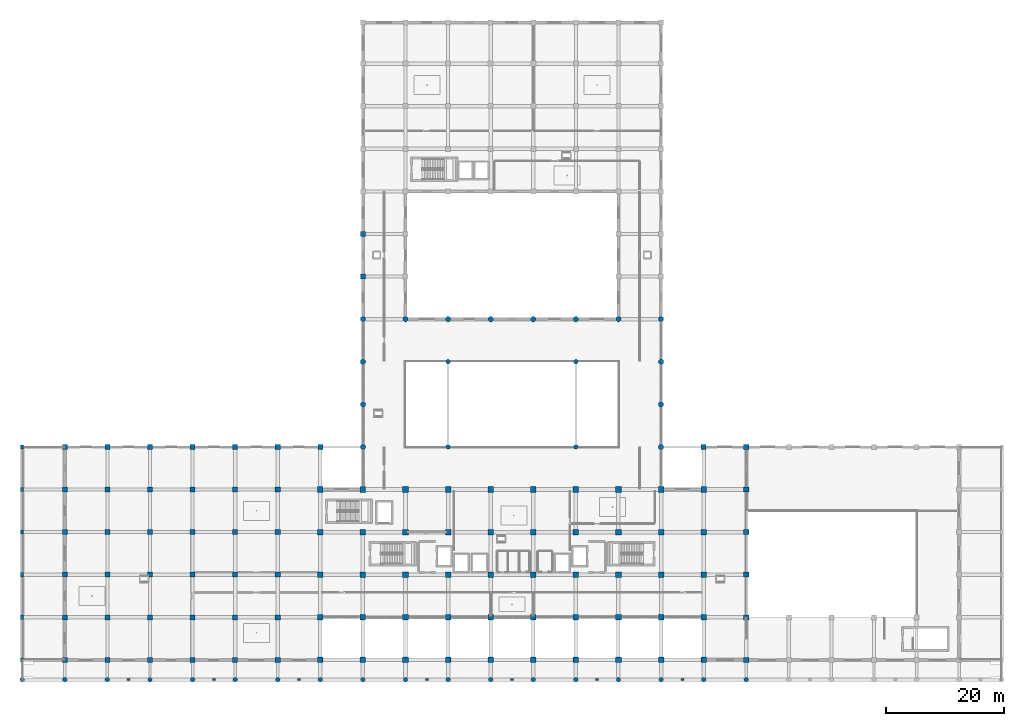
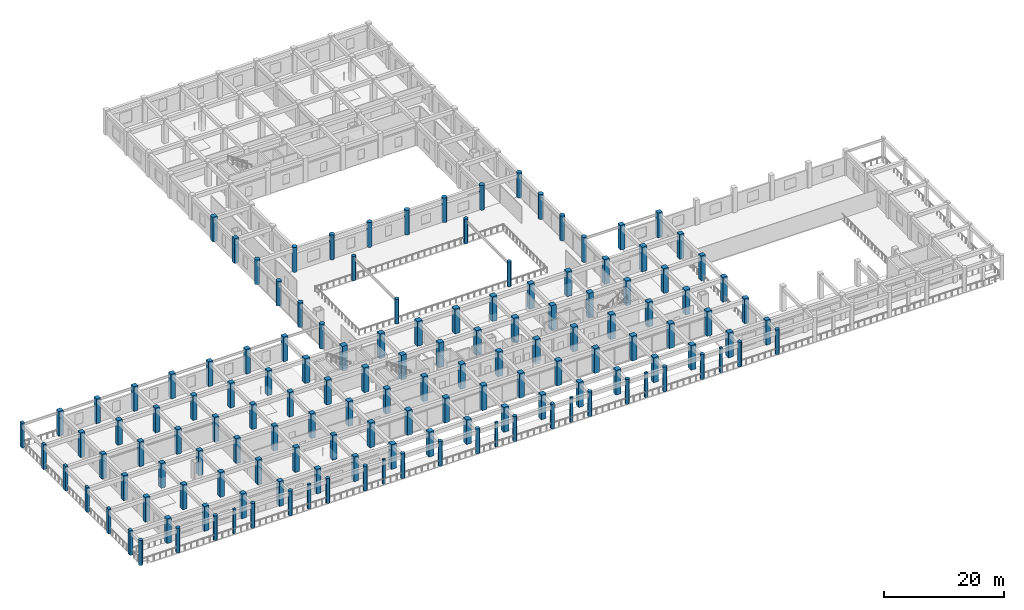
# One storey, part 1 of 54: 145 columns.
"""IFC4 building model written with IfcOpenShell, lengths in metres."""

from ifc_helpers import new_model, si_unit, direction, frame, origin, origin_2d, place, context, subcontext, project, spatial, rectangle, circle, extrude, material, material_profile, profile_set, type_object, element, save


model = new_model("IFC4")

# Units and contexts
model_context = context("Model", 3, precision=1e-05, world=origin(), true_north=direction((0.0, 1.0)))
body_context = subcontext(model_context, "Body", "Model", "MODEL_VIEW")
ifc_project = project(units=[si_unit("LENGTHUNIT", "METRE"), si_unit("AREAUNIT", "SQUARE_METRE"), si_unit("VOLUMEUNIT", "CUBIC_METRE"), si_unit("PLANEANGLEUNIT", "RADIAN"), si_unit("MASSUNIT", "GRAM", prefix="KILO")], contexts=[model_context])

# Site, building, storey
site_placement = place(None, origin())
site = spatial("IfcSite", under=ifc_project, at=site_placement, CompositionType="ELEMENT")
building_placement = place(site_placement, origin())
building = spatial("IfcBuilding", under=site, at=building_placement, Name="Kazehaya Institute of Natural Sciences", CompositionType="ELEMENT")
storey_placement = place(building_placement, frame((0.0, 0.0, 5.39990234375)))
storey = spatial("IfcBuildingStorey", under=building, at=storey_placement, Name="L01", CompositionType="ELEMENT", Elevation=5.39990234375)

# Columns
ifc_material_1 = material(Name="Concrete Fc36", Category="concrete")
ifc_material_profile_1 = material_profile(ifc_material_1, circle(Radius=0.375, at=origin_2d()), Name="RC-DIA750")
ifc_profile_set_1 = profile_set([ifc_material_profile_1], Name="Concrete Fc36")
column_type_1 = type_object("IfcColumnType", Name="COL-DIA750", PredefinedType="COLUMN", material=ifc_profile_set_1)
for number, where, z_axis, x_axis, name in (
    (1, (4.199951171875, 3.449951171875, 0.0), (0.0, 0.0, 1.0), (1.0, 0.0, 0.0), "L01 column COL-L01-0451"),
    (2, (11.39990234375, 3.449951171875, 0.0), (0.0, 0.0, 1.0), (1.0, 0.0, 0.0), "L01 column COL-L01-0452"),
    (3, (18.60009765625, 3.449951171875, 0.0), (0.0, 0.0, 1.0), (1.0, 0.0, 0.0), "L01 column COL-L01-0453"),
    (4, (25.800048828125, 3.449951171875, 0.0), (0.0, 0.0, 1.0), (1.0, 0.0, 0.0), "L01 column COL-L01-0454"),
    (5, (33.0, 3.449951171875, 0.0), (0.0, 0.0, 1.0), (1.0, 0.0, 0.0), "L01 column COL-L01-0455"),
    (6, (40.199951171875, 3.449951171875, 0.0), (0.0, 0.0, 1.0), (1.0, 0.0, 0.0), "L01 column COL-L01-0456"),
    (7, (47.39990234375, 3.449951171875, 0.0), (0.0, 0.0, 1.0), (1.0, 0.0, 0.0), "L01 column COL-L01-0457"),
    (8, (54.60009765625, 3.449951171875, 0.0), (0.0, 0.0, 1.0), (1.0, 0.0, 0.0), "L01 column COL-L01-0458"),
    (9, (61.800048828125, 3.449951171875, 0.0), (0.0, 0.0, 1.0), (1.0, 0.0, 0.0), "L01 column COL-L01-0459"),
    (10, (69.0, 3.449951171875, 0.0), (0.0, 0.0, 1.0), (1.0, 0.0, 0.0), "L01 column COL-L01-0460"),
    (11, (76.199951171875, 3.449951171875, 0.0), (0.0, 0.0, 1.0), (1.0, 0.0, 0.0), "L01 column COL-L01-0461"),
    (12, (83.39990234375, 3.449951171875, 0.0), (0.0, 0.0, 1.0), (1.0, 0.0, 0.0), "L01 column COL-L01-0462"),
    (13, (90.60009765625, 3.449951171875, 0.0), (0.0, 0.0, 1.0), (1.0, 0.0, 0.0), "L01 column COL-L01-0463"),
    (14, (97.800048828125, 3.449951171875, 0.0), (0.0, 0.0, 1.0), (1.0, 0.0, 0.0), "L01 column COL-L01-0464"),
    (15, (105.0, 3.449951171875, 0.0), (0.0, 0.0, 1.0), (1.0, 0.0, 0.0), "L01 column COL-L01-0465"),
    (16, (112.199951171875, 3.449951171875, 0.0), (0.0, 0.0, 1.0), (1.0, 0.0, 0.0), "L01 column COL-L01-0466"),
    (17, (119.39990234375, 3.449951171875, 0.0), (0.0, 0.0, 1.0), (1.0, 0.0, 0.0), "L01 column COL-L01-0467"),
    (18, (126.60009765625, 3.449951171875, 0.0), (0.0, 0.0, 1.0), (1.0, 0.0, 0.0), "L01 column COL-L01-0468"),
    (19, (76.199951171875, 42.800048828125, 0.0), (0.0, 0.0, 1.0), (1.0, 0.0, 0.0), "L01 atrium gallery column 1369"),
    (20, (76.199951171875, 57.199951171875, 0.0), (0.0, 0.0, 1.0), (1.0, 0.0, 0.0), "L01 atrium gallery column 1370"),
    (21, (97.800048828125, 42.800048828125, 0.0), (0.0, 0.0, 1.0), (1.0, 0.0, 0.0), "L01 atrium gallery column 1371"),
    (22, (97.800048828125, 57.199951171875, 0.0), (0.0, 0.0, 1.0), (1.0, 0.0, 0.0), "L01 atrium gallery column 1372"),
):
    element("IfcColumn", number, at=place(storey_placement, frame(where, z_axis=z_axis, x_axis=x_axis)), inside=storey, type_object=column_type_1, Name=name, PredefinedType="COLUMN", context=body_context, shape_type="SweptSolid", body=[
        extrude(circle(Radius=0.375, at=origin_2d()), origin(), (0.0, 0.0, 1.0), 5.0400390625),
    ])
ifc_material_2 = material(Name="Concrete Fc42", Category="concrete")
ifc_material_profile_2 = material_profile(ifc_material_2, circle(Radius=0.449951171875, at=origin_2d()), Name="RC-DIA900")
ifc_profile_set_2 = profile_set([ifc_material_profile_2], Name="Concrete Fc42")
column_type_2 = type_object("IfcColumnType", Name="COL-DIA900", PredefinedType="COLUMN", material=ifc_profile_set_2)
for number, where, z_axis, x_axis, name in (
    (23, (61.800048828125, 42.800048828125, 0.0), (0.0, 0.0, 1.0), (1.0, 0.0, 0.0), "L01 column COL-L01-0591"),
    (24, (112.199951171875, 42.800048828125, 0.0), (0.0, 0.0, 1.0), (1.0, 0.0, 0.0), "L01 column COL-L01-0592"),
    (25, (61.800048828125, 50.0, 0.0), (0.0, 0.0, 1.0), (1.0, 0.0, 0.0), "L01 column COL-L01-0601"),
    (26, (112.199951171875, 50.0, 0.0), (0.0, 0.0, 1.0), (1.0, 0.0, 0.0), "L01 column COL-L01-0602"),
    (27, (61.800048828125, 57.199951171875, 0.0), (0.0, 0.0, 1.0), (1.0, 0.0, 0.0), "L01 column COL-L01-0603"),
    (28, (112.199951171875, 57.199951171875, 0.0), (0.0, 0.0, 1.0), (1.0, 0.0, 0.0), "L01 column COL-L01-0604"),
    (29, (61.800048828125, 64.39990234375, 0.0), (0.0, 0.0, 1.0), (1.0, 0.0, 0.0), "L01 column COL-L01-0605"),
    (30, (69.0, 64.39990234375, 0.0), (0.0, 0.0, 1.0), (1.0, 0.0, 0.0), "L01 column COL-L01-0606"),
    (31, (76.199951171875, 64.39990234375, 0.0), (0.0, 0.0, 1.0), (1.0, 0.0, 0.0), "L01 column COL-L01-0607"),
    (32, (83.39990234375, 64.39990234375, 0.0), (0.0, 0.0, 1.0), (1.0, 0.0, 0.0), "L01 column COL-L01-0608"),
    (33, (90.60009765625, 64.39990234375, 0.0), (0.0, 0.0, 1.0), (1.0, 0.0, 0.0), "L01 column COL-L01-0609"),
    (34, (97.800048828125, 64.39990234375, 0.0), (0.0, 0.0, 1.0), (1.0, 0.0, 0.0), "L01 column COL-L01-0610"),
    (35, (105.0, 64.39990234375, 0.0), (0.0, 0.0, 1.0), (1.0, 0.0, 0.0), "L01 column COL-L01-0611"),
    (36, (112.199951171875, 64.39990234375, 0.0), (0.0, 0.0, 1.0), (1.0, 0.0, 0.0), "L01 column COL-L01-0612"),
):
    element("IfcColumn", number, at=place(storey_placement, frame(where, z_axis=z_axis, x_axis=x_axis)), inside=storey, type_object=column_type_2, Name=name, PredefinedType="COLUMN", context=body_context, shape_type="SweptSolid", body=[
        extrude(circle(Radius=0.449951171875, at=origin_2d()), origin(), (0.0, 0.0, 1.0), 5.0400390625),
    ])
ifc_material_profile_3 = material_profile(ifc_material_1, rectangle(XDim=0.5, YDim=0.699951171875, at=origin_2d()), Name="RC-700x500")
ifc_profile_set_3 = profile_set([ifc_material_profile_3], Name="Concrete Fc36")
column_type_3 = type_object("IfcColumnType", Name="COL-RC700x500", PredefinedType="COLUMN", material=ifc_profile_set_3)
for number, where, z_axis, x_axis, name in (
    (37, (4.199951171875, 6.800048828125, 0.0), (0.0, 0.0, 1.0), (1.0, 0.0, 0.0), "L01 column COL-L01-0475"),
    (38, (4.199951171875, 14.0, 0.0), (0.0, 0.0, 1.0), (1.0, 0.0, 0.0), "L01 column COL-L01-0499"),
    (39, (4.199951171875, 21.199951171875, 0.0), (0.0, 0.0, 1.0), (1.0, 0.0, 0.0), "L01 column COL-L01-0523"),
    (40, (4.199951171875, 28.39990234375, 0.0), (0.0, 0.0, 1.0), (1.0, 0.0, 0.0), "L01 column COL-L01-0543"),
    (41, (4.199951171875, 35.60009765625, 0.0), (0.0, 0.0, 1.0), (1.0, 0.0, 0.0), "L01 column COL-L01-0563"),
    (42, (4.199951171875, 42.800048828125, 0.0), (0.0, 0.0, 1.0), (1.0, 0.0, 0.0), "L01 column COL-L01-0583"),
):
    element("IfcColumn", number, at=place(storey_placement, frame(where, z_axis=z_axis, x_axis=x_axis)), inside=storey, type_object=column_type_3, Name=name, PredefinedType="COLUMN", context=body_context, shape_type="SweptSolid", body=[
        extrude(rectangle(XDim=0.5, YDim=0.699951171875, at=origin_2d()), origin(), (0.0, 0.0, 1.0), 5.0400390625),
    ])
ifc_material_profile_4 = material_profile(ifc_material_2, rectangle(XDim=0.85009765625, YDim=0.85009765625, at=origin_2d()), Name="RC-850x850")
ifc_profile_set_4 = profile_set([ifc_material_profile_4], Name="Concrete Fc42")
column_type_4 = type_object("IfcColumnType", Name="COL-RC850", PredefinedType="COLUMN", material=ifc_profile_set_4)
for number, where, z_axis, x_axis, name in (
    (43, (11.39990234375, 6.800048828125, 0.0), (0.0, 0.0, 1.0), (1.0, 0.0, 0.0), "L01 column COL-L01-0476"),
    (44, (18.60009765625, 6.800048828125, 0.0), (0.0, 0.0, 1.0), (1.0, 0.0, 0.0), "L01 column COL-L01-0477"),
    (45, (25.800048828125, 6.800048828125, 0.0), (0.0, 0.0, 1.0), (1.0, 0.0, 0.0), "L01 column COL-L01-0478"),
    (46, (33.0, 6.800048828125, 0.0), (0.0, 0.0, 1.0), (1.0, 0.0, 0.0), "L01 column COL-L01-0479"),
    (47, (40.199951171875, 6.800048828125, 0.0), (0.0, 0.0, 1.0), (1.0, 0.0, 0.0), "L01 column COL-L01-0480"),
    (48, (47.39990234375, 6.800048828125, 0.0), (0.0, 0.0, 1.0), (1.0, 0.0, 0.0), "L01 column COL-L01-0481"),
    (49, (126.60009765625, 6.800048828125, 0.0), (0.0, 0.0, 1.0), (1.0, 0.0, 0.0), "L01 column COL-L01-0492"),
    (50, (11.39990234375, 14.0, 0.0), (0.0, 0.0, 1.0), (1.0, 0.0, 0.0), "L01 column COL-L01-0500"),
    (51, (18.60009765625, 14.0, 0.0), (0.0, 0.0, 1.0), (1.0, 0.0, 0.0), "L01 column COL-L01-0501"),
    (52, (25.800048828125, 14.0, 0.0), (0.0, 0.0, 1.0), (1.0, 0.0, 0.0), "L01 column COL-L01-0502"),
    (53, (33.0, 14.0, 0.0), (0.0, 0.0, 1.0), (1.0, 0.0, 0.0), "L01 column COL-L01-0503"),
    (54, (40.199951171875, 14.0, 0.0), (0.0, 0.0, 1.0), (1.0, 0.0, 0.0), "L01 column COL-L01-0504"),
    (55, (47.39990234375, 14.0, 0.0), (0.0, 0.0, 1.0), (1.0, 0.0, 0.0), "L01 column COL-L01-0505"),
    (56, (126.60009765625, 14.0, 0.0), (0.0, 0.0, 1.0), (1.0, 0.0, 0.0), "L01 column COL-L01-0516"),
    (57, (11.39990234375, 21.199951171875, 0.0), (0.0, 0.0, 1.0), (1.0, 0.0, 0.0), "L01 column COL-L01-0524"),
    (58, (18.60009765625, 21.199951171875, 0.0), (0.0, 0.0, 1.0), (1.0, 0.0, 0.0), "L01 column COL-L01-0525"),
    (59, (25.800048828125, 21.199951171875, 0.0), (0.0, 0.0, 1.0), (1.0, 0.0, 0.0), "L01 column COL-L01-0526"),
    (60, (33.0, 21.199951171875, 0.0), (0.0, 0.0, 1.0), (1.0, 0.0, 0.0), "L01 column COL-L01-0527"),
    (61, (40.199951171875, 21.199951171875, 0.0), (0.0, 0.0, 1.0), (1.0, 0.0, 0.0), "L01 column COL-L01-0528"),
    (62, (47.39990234375, 21.199951171875, 0.0), (0.0, 0.0, 1.0), (1.0, 0.0, 0.0), "L01 column COL-L01-0529"),
    (63, (126.60009765625, 21.199951171875, 0.0), (0.0, 0.0, 1.0), (1.0, 0.0, 0.0), "L01 column COL-L01-0540"),
    (64, (11.39990234375, 28.39990234375, 0.0), (0.0, 0.0, 1.0), (1.0, 0.0, 0.0), "L01 column COL-L01-0544"),
    (65, (18.60009765625, 28.39990234375, 0.0), (0.0, 0.0, 1.0), (1.0, 0.0, 0.0), "L01 column COL-L01-0545"),
    (66, (25.800048828125, 28.39990234375, 0.0), (0.0, 0.0, 1.0), (1.0, 0.0, 0.0), "L01 column COL-L01-0546"),
    (67, (33.0, 28.39990234375, 0.0), (0.0, 0.0, 1.0), (1.0, 0.0, 0.0), "L01 column COL-L01-0547"),
    (68, (40.199951171875, 28.39990234375, 0.0), (0.0, 0.0, 1.0), (1.0, 0.0, 0.0), "L01 column COL-L01-0548"),
    (69, (47.39990234375, 28.39990234375, 0.0), (0.0, 0.0, 1.0), (1.0, 0.0, 0.0), "L01 column COL-L01-0549"),
    (70, (126.60009765625, 28.39990234375, 0.0), (0.0, 0.0, 1.0), (1.0, 0.0, 0.0), "L01 column COL-L01-0560"),
    (71, (11.39990234375, 35.60009765625, 0.0), (0.0, 0.0, 1.0), (1.0, 0.0, 0.0), "L01 column COL-L01-0564"),
    (72, (18.60009765625, 35.60009765625, 0.0), (0.0, 0.0, 1.0), (1.0, 0.0, 0.0), "L01 column COL-L01-0565"),
    (73, (25.800048828125, 35.60009765625, 0.0), (0.0, 0.0, 1.0), (1.0, 0.0, 0.0), "L01 column COL-L01-0566"),
    (74, (33.0, 35.60009765625, 0.0), (0.0, 0.0, 1.0), (1.0, 0.0, 0.0), "L01 column COL-L01-0567"),
    (75, (40.199951171875, 35.60009765625, 0.0), (0.0, 0.0, 1.0), (1.0, 0.0, 0.0), "L01 column COL-L01-0568"),
    (76, (47.39990234375, 35.60009765625, 0.0), (0.0, 0.0, 1.0), (1.0, 0.0, 0.0), "L01 column COL-L01-0569"),
    (77, (126.60009765625, 35.60009765625, 0.0), (0.0, 0.0, 1.0), (1.0, 0.0, 0.0), "L01 column COL-L01-0580"),
    (78, (11.39990234375, 42.800048828125, 0.0), (0.0, 0.0, 1.0), (1.0, 0.0, 0.0), "L01 column COL-L01-0584"),
    (79, (18.60009765625, 42.800048828125, 0.0), (0.0, 0.0, 1.0), (1.0, 0.0, 0.0), "L01 column COL-L01-0585"),
    (80, (25.800048828125, 42.800048828125, 0.0), (0.0, 0.0, 1.0), (1.0, 0.0, 0.0), "L01 column COL-L01-0586"),
    (81, (33.0, 42.800048828125, 0.0), (0.0, 0.0, 1.0), (1.0, 0.0, 0.0), "L01 column COL-L01-0587"),
    (82, (40.199951171875, 42.800048828125, 0.0), (0.0, 0.0, 1.0), (1.0, 0.0, 0.0), "L01 column COL-L01-0588"),
    (83, (47.39990234375, 42.800048828125, 0.0), (0.0, 0.0, 1.0), (1.0, 0.0, 0.0), "L01 column COL-L01-0589"),
    (84, (54.60009765625, 42.800048828125, 0.0), (0.0, 0.0, 1.0), (1.0, 0.0, 0.0), "L01 column COL-L01-0590"),
    (85, (119.39990234375, 42.800048828125, 0.0), (0.0, 0.0, 1.0), (1.0, 0.0, 0.0), "L01 column COL-L01-0593"),
    (86, (126.60009765625, 42.800048828125, 0.0), (0.0, 0.0, 1.0), (1.0, 0.0, 0.0), "L01 column COL-L01-0594"),
    (87, (61.800048828125, 71.60009765625, 0.0), (0.0, 0.0, 1.0), (1.0, 0.0, 0.0), "L01 column COL-L01-0613"),
    (88, (61.800048828125, 78.800048828125, 0.0), (0.0, 0.0, 1.0), (1.0, 0.0, 0.0), "L01 column COL-L01-0617"),
):
    element("IfcColumn", number, at=place(storey_placement, frame(where, z_axis=z_axis, x_axis=x_axis)), inside=storey, type_object=column_type_4, Name=name, PredefinedType="COLUMN", context=body_context, shape_type="SweptSolid", body=[
        extrude(rectangle(XDim=0.85009765625, YDim=0.85009765625, at=origin_2d()), origin(), (0.0, 0.0, 1.0), 5.0400390625),
    ])
ifc_material_profile_5 = material_profile(ifc_material_2, rectangle(XDim=0.949951171875, YDim=0.949951171875, at=origin_2d()), Name="RC-950x950")
ifc_profile_set_5 = profile_set([ifc_material_profile_5], Name="Concrete Fc42")
column_type_5 = type_object("IfcColumnType", Name="COL-RC950", PredefinedType="COLUMN", material=ifc_profile_set_5)
for number, where, z_axis, x_axis, name in (
    (89, (54.60009765625, 6.800048828125, 0.0), (0.0, 0.0, 1.0), (1.0, 0.0, 0.0), "L01 column COL-L01-0482"),
    (90, (61.800048828125, 6.800048828125, 0.0), (0.0, 0.0, 1.0), (1.0, 0.0, 0.0), "L01 column COL-L01-0483"),
    (91, (69.0, 6.800048828125, 0.0), (0.0, 0.0, 1.0), (1.0, 0.0, 0.0), "L01 column COL-L01-0484"),
    (92, (76.199951171875, 6.800048828125, 0.0), (0.0, 0.0, 1.0), (1.0, 0.0, 0.0), "L01 column COL-L01-0485"),
    (93, (83.39990234375, 6.800048828125, 0.0), (0.0, 0.0, 1.0), (1.0, 0.0, 0.0), "L01 column COL-L01-0486"),
    (94, (90.60009765625, 6.800048828125, 0.0), (0.0, 0.0, 1.0), (1.0, 0.0, 0.0), "L01 column COL-L01-0487"),
    (95, (97.800048828125, 6.800048828125, 0.0), (0.0, 0.0, 1.0), (1.0, 0.0, 0.0), "L01 column COL-L01-0488"),
    (96, (105.0, 6.800048828125, 0.0), (0.0, 0.0, 1.0), (1.0, 0.0, 0.0), "L01 column COL-L01-0489"),
    (97, (112.199951171875, 6.800048828125, 0.0), (0.0, 0.0, 1.0), (1.0, 0.0, 0.0), "L01 column COL-L01-0490"),
    (98, (119.39990234375, 6.800048828125, 0.0), (0.0, 0.0, 1.0), (1.0, 0.0, 0.0), "L01 column COL-L01-0491"),
    (99, (54.60009765625, 14.0, 0.0), (0.0, 0.0, 1.0), (1.0, 0.0, 0.0), "L01 column COL-L01-0506"),
    (100, (61.800048828125, 14.0, 0.0), (0.0, 0.0, 1.0), (1.0, 0.0, 0.0), "L01 column COL-L01-0507"),
    (101, (69.0, 14.0, 0.0), (0.0, 0.0, 1.0), (1.0, 0.0, 0.0), "L01 column COL-L01-0508"),
    (102, (76.199951171875, 14.0, 0.0), (0.0, 0.0, 1.0), (1.0, 0.0, 0.0), "L01 column COL-L01-0509"),
    (103, (83.39990234375, 14.0, 0.0), (0.0, 0.0, 1.0), (1.0, 0.0, 0.0), "L01 column COL-L01-0510"),
    (104, (90.60009765625, 14.0, 0.0), (0.0, 0.0, 1.0), (1.0, 0.0, 0.0), "L01 column COL-L01-0511"),
    (105, (97.800048828125, 14.0, 0.0), (0.0, 0.0, 1.0), (1.0, 0.0, 0.0), "L01 column COL-L01-0512"),
    (106, (105.0, 14.0, 0.0), (0.0, 0.0, 1.0), (1.0, 0.0, 0.0), "L01 column COL-L01-0513"),
    (107, (112.199951171875, 14.0, 0.0), (0.0, 0.0, 1.0), (1.0, 0.0, 0.0), "L01 column COL-L01-0514"),
    (108, (119.39990234375, 14.0, 0.0), (0.0, 0.0, 1.0), (1.0, 0.0, 0.0), "L01 column COL-L01-0515"),
    (109, (54.60009765625, 21.199951171875, 0.0), (0.0, 0.0, 1.0), (1.0, 0.0, 0.0), "L01 column COL-L01-0530"),
    (110, (61.800048828125, 21.199951171875, 0.0), (0.0, 0.0, 1.0), (1.0, 0.0, 0.0), "L01 column COL-L01-0531"),
    (111, (69.0, 21.199951171875, 0.0), (0.0, 0.0, 1.0), (1.0, 0.0, 0.0), "L01 column COL-L01-0532"),
    (112, (76.199951171875, 21.199951171875, 0.0), (0.0, 0.0, 1.0), (1.0, 0.0, 0.0), "L01 column COL-L01-0533"),
    (113, (83.39990234375, 21.199951171875, 0.0), (0.0, 0.0, 1.0), (1.0, 0.0, 0.0), "L01 column COL-L01-0534"),
    (114, (90.60009765625, 21.199951171875, 0.0), (0.0, 0.0, 1.0), (1.0, 0.0, 0.0), "L01 column COL-L01-0535"),
    (115, (97.800048828125, 21.199951171875, 0.0), (0.0, 0.0, 1.0), (1.0, 0.0, 0.0), "L01 column COL-L01-0536"),
    (116, (105.0, 21.199951171875, 0.0), (0.0, 0.0, 1.0), (1.0, 0.0, 0.0), "L01 column COL-L01-0537"),
    (117, (112.199951171875, 21.199951171875, 0.0), (0.0, 0.0, 1.0), (1.0, 0.0, 0.0), "L01 column COL-L01-0538"),
    (118, (119.39990234375, 21.199951171875, 0.0), (0.0, 0.0, 1.0), (1.0, 0.0, 0.0), "L01 column COL-L01-0539"),
    (119, (54.60009765625, 28.39990234375, 0.0), (0.0, 0.0, 1.0), (1.0, 0.0, 0.0), "L01 column COL-L01-0550"),
    (120, (61.800048828125, 28.39990234375, 0.0), (0.0, 0.0, 1.0), (1.0, 0.0, 0.0), "L01 column COL-L01-0551"),
    (121, (69.0, 28.39990234375, 0.0), (0.0, 0.0, 1.0), (1.0, 0.0, 0.0), "L01 column COL-L01-0552"),
    (122, (76.199951171875, 28.39990234375, 0.0), (0.0, 0.0, 1.0), (1.0, 0.0, 0.0), "L01 column COL-L01-0553"),
    (123, (83.39990234375, 28.39990234375, 0.0), (0.0, 0.0, 1.0), (1.0, 0.0, 0.0), "L01 column COL-L01-0554"),
    (124, (90.60009765625, 28.39990234375, 0.0), (0.0, 0.0, 1.0), (1.0, 0.0, 0.0), "L01 column COL-L01-0555"),
    (125, (97.800048828125, 28.39990234375, 0.0), (0.0, 0.0, 1.0), (1.0, 0.0, 0.0), "L01 column COL-L01-0556"),
    (126, (105.0, 28.39990234375, 0.0), (0.0, 0.0, 1.0), (1.0, 0.0, 0.0), "L01 column COL-L01-0557"),
    (127, (112.199951171875, 28.39990234375, 0.0), (0.0, 0.0, 1.0), (1.0, 0.0, 0.0), "L01 column COL-L01-0558"),
    (128, (119.39990234375, 28.39990234375, 0.0), (0.0, 0.0, 1.0), (1.0, 0.0, 0.0), "L01 column COL-L01-0559"),
    (129, (54.60009765625, 35.60009765625, 0.0), (0.0, 0.0, 1.0), (1.0, 0.0, 0.0), "L01 column COL-L01-0570"),
    (130, (61.800048828125, 35.60009765625, 0.0), (0.0, 0.0, 1.0), (1.0, 0.0, 0.0), "L01 column COL-L01-0571"),
    (131, (69.0, 35.60009765625, 0.0), (0.0, 0.0, 1.0), (1.0, 0.0, 0.0), "L01 column COL-L01-0572"),
    (132, (76.199951171875, 35.60009765625, 0.0), (0.0, 0.0, 1.0), (1.0, 0.0, 0.0), "L01 column COL-L01-0573"),
    (133, (83.39990234375, 35.60009765625, 0.0), (0.0, 0.0, 1.0), (1.0, 0.0, 0.0), "L01 column COL-L01-0574"),
    (134, (90.60009765625, 35.60009765625, 0.0), (0.0, 0.0, 1.0), (1.0, 0.0, 0.0), "L01 column COL-L01-0575"),
    (135, (97.800048828125, 35.60009765625, 0.0), (0.0, 0.0, 1.0), (1.0, 0.0, 0.0), "L01 column COL-L01-0576"),
    (136, (105.0, 35.60009765625, 0.0), (0.0, 0.0, 1.0), (1.0, 0.0, 0.0), "L01 column COL-L01-0577"),
    (137, (112.199951171875, 35.60009765625, 0.0), (0.0, 0.0, 1.0), (1.0, 0.0, 0.0), "L01 column COL-L01-0578"),
    (138, (119.39990234375, 35.60009765625, 0.0), (0.0, 0.0, 1.0), (1.0, 0.0, 0.0), "L01 column COL-L01-0579"),
):
    element("IfcColumn", number, at=place(storey_placement, frame(where, z_axis=z_axis, x_axis=x_axis)), inside=storey, type_object=column_type_5, Name=name, PredefinedType="COLUMN", context=body_context, shape_type="SweptSolid", body=[
        extrude(rectangle(XDim=0.949951171875, YDim=0.949951171875, at=origin_2d()), origin(), (0.0, 0.0, 1.0), 5.0400390625),
    ])
ifc_material_3 = material(Name="Precast concrete Fc36", Category="concrete")
ifc_material_profile_6 = material_profile(ifc_material_3, rectangle(XDim=0.5, YDim=0.35009765625, at=origin_2d()), Name="RC-PIL-500x350")
ifc_profile_set_6 = profile_set([ifc_material_profile_6], Name="Precast concrete Fc36")
column_type_6 = type_object("IfcColumnType", Name="PIL-500x350", PredefinedType="PILASTER", material=ifc_profile_set_6)
for number, where, z_axis, x_axis, name in (
    (139, (22.199951171875, 3.449951171875, 0.0), (0.0, 0.0, 1.0), (1.0, 0.0, 0.0), "L01 Neoclassical colonnade pilaster PIL-L01-021"),
    (140, (36.60009765625, 3.449951171875, 0.0), (0.0, 0.0, 1.0), (1.0, 0.0, 0.0), "L01 Neoclassical colonnade pilaster PIL-L01-022"),
    (141, (51.0, 3.449951171875, 0.0), (0.0, 0.0, 1.0), (1.0, 0.0, 0.0), "L01 Neoclassical colonnade pilaster PIL-L01-023"),
    (142, (72.60009765625, 3.449951171875, 0.0), (0.0, 0.0, 1.0), (1.0, 0.0, 0.0), "L01 Neoclassical colonnade pilaster PIL-L01-024"),
    (143, (87.0, 3.449951171875, 0.0), (0.0, 0.0, 1.0), (1.0, 0.0, 0.0), "L01 Neoclassical colonnade pilaster PIL-L01-025"),
    (144, (101.39990234375, 3.449951171875, 0.0), (0.0, 0.0, 1.0), (1.0, 0.0, 0.0), "L01 Neoclassical colonnade pilaster PIL-L01-026"),
    (145, (115.800048828125, 3.449951171875, 0.0), (0.0, 0.0, 1.0), (1.0, 0.0, 0.0), "L01 Neoclassical colonnade pilaster PIL-L01-027"),
):
    element("IfcColumn", number, at=place(storey_placement, frame(where, z_axis=z_axis, x_axis=x_axis)), inside=storey, type_object=column_type_6, Name=name, PredefinedType="PILASTER", context=body_context, shape_type="SweptSolid", body=[
        extrude(rectangle(XDim=0.5, YDim=0.35009765625, at=origin_2d()), origin(), (0.0, 0.0, 1.0), 5.0400390625),
    ])

save(model, "model.ifc")
